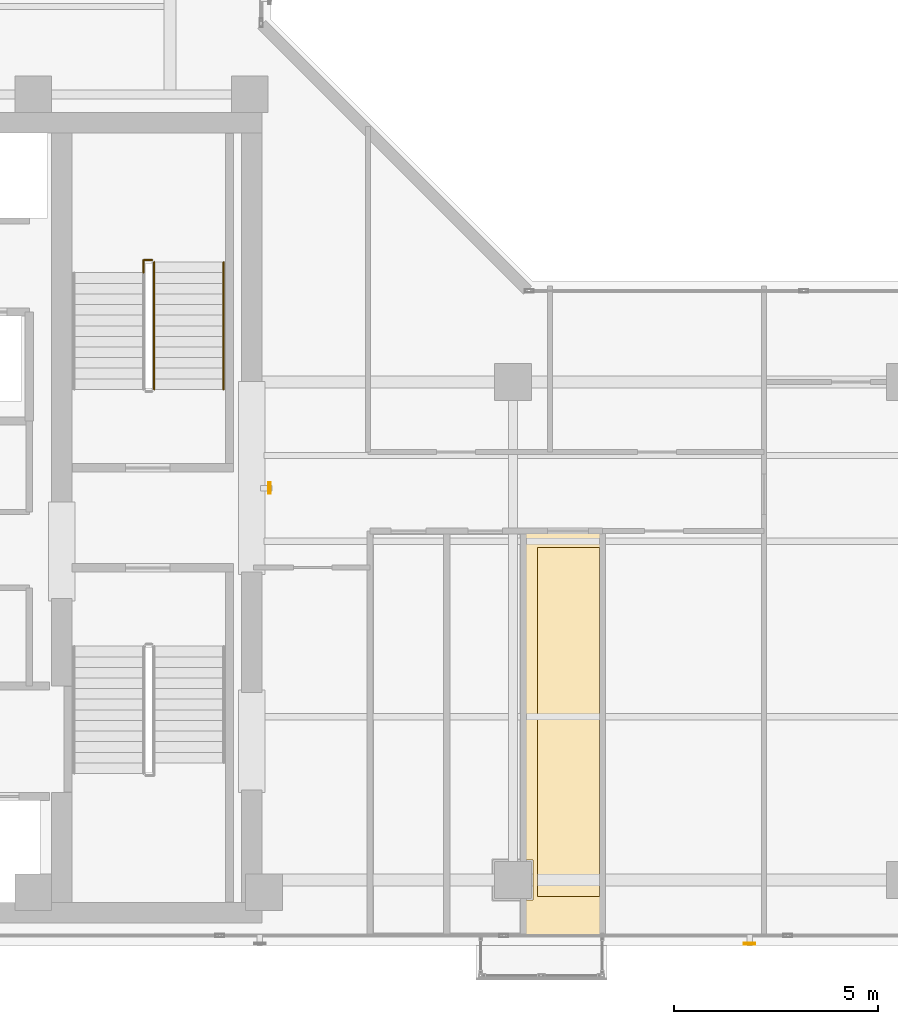
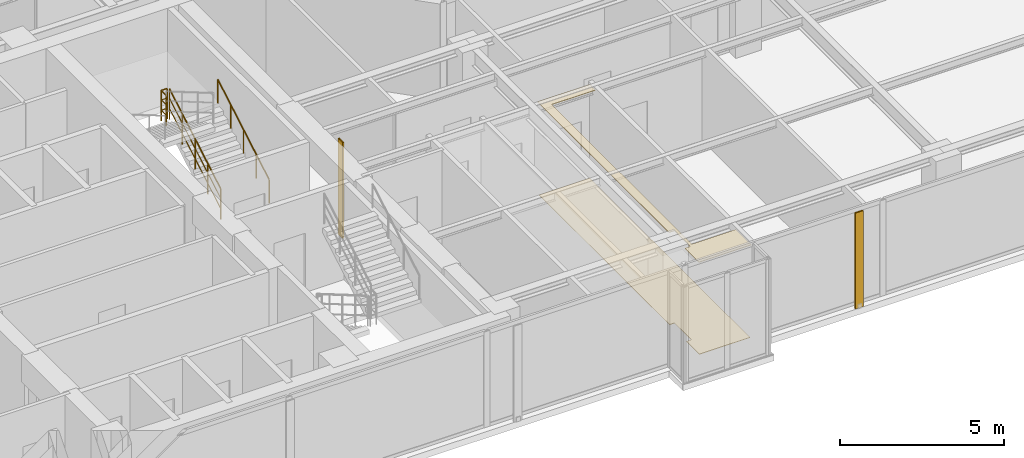
# One storey, part 21 of 22: 3 railings, 2 coverings, 2 shading devices.
"""IFC4 building model written with IfcOpenShell, lengths in metres."""

from ifc_helpers import new_model, si_unit, direction, frame, origin, origin_2d, place, context, subcontext, project, spatial, polyline, hollow_rectangle, circle, outline, extrude, material, layer, layer_set, material_profile, profile_set, type_object, element, save


model = new_model("IFC4")

# Units and contexts
model_context = context("Model", 3, precision=1e-05, world=origin(), true_north=direction((0.0, 1.0)))
body_context = subcontext(model_context, "Body", "Model", "MODEL_VIEW")
ifc_project = project(units=[si_unit("LENGTHUNIT", "METRE"), si_unit("AREAUNIT", "SQUARE_METRE"), si_unit("VOLUMEUNIT", "CUBIC_METRE"), si_unit("PLANEANGLEUNIT", "RADIAN"), si_unit("MASSUNIT", "GRAM", prefix="KILO")], contexts=[model_context])

# Site, building, storey
site_placement = place(None, origin())
site = spatial("IfcSite", under=ifc_project, at=site_placement, CompositionType="ELEMENT")
building_placement = place(site_placement, origin())
building = spatial("IfcBuilding", under=site, at=building_placement, Name="Kolvaren Waterfront Exchange", CompositionType="ELEMENT")
storey_placement = place(building_placement, frame((0.0, 0.0, 308.39990234375)))
storey = spatial("IfcBuildingStorey", under=building, at=storey_placement, Name="L79", CompositionType="ELEMENT", Elevation=308.39990234375)

# Covering
ifc_material_1 = material(Name="Mineral fibre acoustic ceiling tile")
ifc_layer_1 = layer(ifc_material_1, 0.02490234375, Name="Mineral fibre acoustic ceiling tile")
ifc_layer_set_1 = layer_set([ifc_layer_1], Name="Mineral fibre acoustic ceiling tile")
covering_type_1 = type_object("IfcCoveringType", Name="ARC-CEIL-ACOUSTIC-25", PredefinedType="CEILING", material=ifc_layer_set_1)
covering_1_placement = place(storey_placement, frame((0.0, 0.0, 3.445068359375)))
element("IfcCovering", 1, at=covering_1_placement, inside=storey, type_object=covering_type_1, Name="L79 acoustic suspended ceiling 3", PredefinedType="CEILING", context=body_context, shape_type="SweptSolid", body=[
    extrude(outline(polyline([(27.5048828125, 5.68994140625), (27.68994140625, 5.68994140625), (27.68994140625, 4.7099609375), (27.5048828125, 4.7099609375), (27.5048828125, 3.864990234375), (29.35498046875, 3.864990234375), (29.35498046875, 4.800048828125), (27.800048828125, 4.800048828125), (27.800048828125, 13.35009765625), (29.35498046875, 13.35009765625), (29.35498046875, 13.695068359375), (27.5048828125, 13.695068359375), (27.5048828125, 5.68994140625)])), origin(), (0.0, 0.0, 1.0), 0.025146484375),
])

# Shading devices
ifc_material_2 = material(Name="Anodised bronze aluminium 6063-T6", Category="aluminium")
ifc_material_profile = material_profile(ifc_material_2, hollow_rectangle(XDim=0.054931640625, YDim=0.280029296875, WallThickness=0.00439453125, at=origin_2d()), Name="BRZ-FIN-280x55x4.5")
ifc_profile_set = profile_set([ifc_material_profile], Name="Anodised bronze aluminium 6063-T6")
shading_device_type = type_object("IfcShadingDeviceType", Name="ARC-FIN-280", PredefinedType="USERDEFINED", material=ifc_profile_set)
for number, where, z_axis, x_axis, name in (
    (2, (33.0, 3.639892578125, 0.0), (0.0, 0.0, 1.0), (0.0, -1.0, 0.0), "L79 anodised bronze solar shading fin FIN-L79-S3"),
    (3, (21.233642578125, 14.800048828125, 0.0), (0.0, 0.0, 1.0), (1.0, 0.0, 0.0), "L79 anodised bronze solar shading fin FIN-L79-E1"),
):
    element("IfcShadingDevice", number, at=place(storey_placement, frame(where, z_axis=z_axis, x_axis=x_axis)), inside=storey, type_object=shading_device_type, Name=name, ObjectType="SOLAR FIN", PredefinedType="USERDEFINED", context=body_context, shape_type="SweptSolid", body=[
        extrude(hollow_rectangle(XDim=0.054931640625, YDim=0.280029296875, WallThickness=0.00439453125, at=origin_2d()), origin(), (0.0, 0.0, 1.0), 3.56005859375),
    ])

# Covering
ifc_material_3 = material(Name="Slip-resistant porcelain tile")
ifc_layer_2 = layer(ifc_material_3, 0.014892578125, Name="Slip-resistant porcelain tile")
ifc_layer_set_2 = layer_set([ifc_layer_2], Name="Slip-resistant porcelain tile")
covering_type_2 = type_object("IfcCoveringType", Name="ARC-FLR-PORC-15", PredefinedType="FLOORING", material=ifc_layer_set_2)
covering_2_placement = place(storey_placement, origin())
element("IfcCovering", 4, at=covering_2_placement, inside=storey, type_object=covering_type_2, Name="L79 floor finish 3", PredefinedType="FLOORING", context=body_context, shape_type="SweptSolid", body=[
    extrude(outline(polyline([(27.5400390625, 4.68994140625), (27.5400390625, 3.89990234375), (29.320068359375, 3.89990234375), (29.320068359375, 13.659912109375), (27.5400390625, 13.659912109375), (27.5400390625, 5.7099609375), (27.7099609375, 5.7099609375), (27.7099609375, 4.68994140625), (27.5400390625, 4.68994140625)])), origin(), (0.0, 0.0, 1.0), 0.01513671875),
])

# Railings
ifc_material_4 = material(Name="Stainless steel 316", Category="steel")
railing_type_1 = type_object("IfcRailingType", Name="ARC-GUARD-STAIR", PredefinedType="GUARDRAIL", material=ifc_material_4)
railing_1_placement = place(storey_placement, frame((18.409912109375, 17.219970703125, 0.152099609375)))
element("IfcRailing", 5, at=railing_1_placement, inside=storey, type_object=railing_type_1, Name="L79 ST2 stair guard 1", PredefinedType="GUARDRAIL", context=body_context, shape_type="SweptSolid", body=[
    extrude(circle(Radius=0.02392578125, at=origin_2d()), frame((0.0, 0.0, 1.1259765625), z_axis=(0.0, 0.86330811405, 0.504677223793), x_axis=(-1.0, 0.0, 0.0)), (0.0, 0.0, 1.0), 3.6142578125),
    extrude(circle(Radius=0.01611328125, at=origin_2d()), frame((0.0, 0.0, 0.390869140625), z_axis=(0.0, 0.86330811405, 0.504677223793), x_axis=(-1.0, 0.0, 0.0)), (0.0, 0.0, 1.0), 3.6142578125),
    extrude(circle(Radius=0.01611328125, at=origin_2d()), frame((0.0, 0.0, 0.7705078125), z_axis=(0.0, 0.86330811405, 0.504677223793), x_axis=(-1.0, 0.0, 0.0)), (0.0, 0.0, 1.0), 3.6142578125),
    extrude(circle(Radius=0.02099609375, at=origin_2d()), origin(), (0.0, 0.0, 1.0), 1.101806640625),
    extrude(circle(Radius=0.02099609375, at=origin_2d()), frame((0.0, 0.780029296875, 0.4560546875)), (0.0, 0.0, 1.0), 1.101806640625),
    extrude(circle(Radius=0.02099609375, at=origin_2d()), frame((0.0, 1.56005859375, 0.912109375)), (0.0, 0.0, 1.0), 1.101806640625),
    extrude(circle(Radius=0.02099609375, at=origin_2d()), frame((0.0, 2.340087890625, 1.367919921875)), (0.0, 0.0, 1.0), 1.101806640625),
    extrude(circle(Radius=0.02099609375, at=origin_2d()), frame((0.0, 3.1201171875, 1.823974609375)), (0.0, 0.0, 1.0), 1.101806640625),
])
railing_2_placement = place(storey_placement, frame((18.360107421875, 20.389892578125, 1.97607421875)))
element("IfcRailing", 6, at=railing_2_placement, inside=storey, type_object=railing_type_1, Name="L79 ST2 stair guard 2", PredefinedType="GUARDRAIL", context=body_context, shape_type="SweptSolid", body=[
    extrude(circle(Radius=0.02392578125, at=origin_2d()), frame((0.0, 0.0, 1.1259765625), z_axis=(-1.0, 0.0, 0.0), x_axis=(0.0, -1.0, 0.0)), (0.0, 0.0, 1.0), 0.210205078125),
    extrude(circle(Radius=0.01611328125, at=origin_2d()), frame((0.0, 0.0, 0.390869140625), z_axis=(-1.0, 0.0, 0.0), x_axis=(0.0, -1.0, 0.0)), (0.0, 0.0, 1.0), 0.210205078125),
    extrude(circle(Radius=0.01611328125, at=origin_2d()), frame((0.0, 0.0, 0.7705078125), z_axis=(-1.0, 0.0, 0.0), x_axis=(0.0, -1.0, 0.0)), (0.0, 0.0, 1.0), 0.210205078125),
    extrude(circle(Radius=0.02392578125, at=origin_2d()), frame((-0.210205078125, 0.0, 1.1259765625), z_axis=(0.0, -1.0, 0.0), x_axis=(1.0, 0.0, 0.0)), (0.0, 0.0, 1.0), 0.309814453125),
    extrude(circle(Radius=0.01611328125, at=origin_2d()), frame((-0.210205078125, 0.0, 0.390869140625), z_axis=(0.0, -1.0, 0.0), x_axis=(1.0, 0.0, 0.0)), (0.0, 0.0, 1.0), 0.309814453125),
    extrude(circle(Radius=0.01611328125, at=origin_2d()), frame((-0.210205078125, 0.0, 0.7705078125), z_axis=(0.0, -1.0, 0.0), x_axis=(1.0, 0.0, 0.0)), (0.0, 0.0, 1.0), 0.309814453125),
    extrude(circle(Radius=0.02099609375, at=origin_2d()), origin(), (0.0, 0.0, 1.0), 1.101806640625),
    extrude(circle(Radius=0.02099609375, at=origin_2d()), frame((-0.210205078125, 0.0, 0.0)), (0.0, 0.0, 1.0), 1.101806640625),
    extrude(circle(Radius=0.02099609375, at=origin_2d()), frame((-0.210205078125, -0.309814453125, 0.0)), (0.0, 0.0, 1.0), 1.101806640625),
])
railing_type_2 = type_object("IfcRailingType", Name="ARC-HANDRAIL-900", PredefinedType="HANDRAIL", material=ifc_material_4)
railing_3_placement = place(storey_placement, frame((20.110107421875, 17.219970703125, 0.152099609375)))
element("IfcRailing", 7, at=railing_3_placement, inside=storey, type_object=railing_type_2, Name="L79 ST2 stair handrail 1", PredefinedType="HANDRAIL", context=body_context, shape_type="SweptSolid", body=[
    extrude(circle(Radius=0.02392578125, at=origin_2d()), frame((0.0, 0.0, 0.8759765625), z_axis=(0.0, 0.86330811405, 0.504677223793), x_axis=(-1.0, 0.0, 0.0)), (0.0, 0.0, 1.0), 3.6142578125),
    extrude(circle(Radius=0.02099609375, at=origin_2d()), origin(), (0.0, 0.0, 1.0), 0.851806640625),
    extrude(circle(Radius=0.02099609375, at=origin_2d()), frame((0.0, 0.780029296875, 0.4560546875)), (0.0, 0.0, 1.0), 0.851806640625),
    extrude(circle(Radius=0.02099609375, at=origin_2d()), frame((0.0, 1.56005859375, 0.912109375)), (0.0, 0.0, 1.0), 0.851806640625),
    extrude(circle(Radius=0.02099609375, at=origin_2d()), frame((0.0, 2.340087890625, 1.367919921875)), (0.0, 0.0, 1.0), 0.851806640625),
    extrude(circle(Radius=0.02099609375, at=origin_2d()), frame((0.0, 3.1201171875, 1.823974609375)), (0.0, 0.0, 1.0), 0.851806640625),
])

save(model, "model.ifc")
